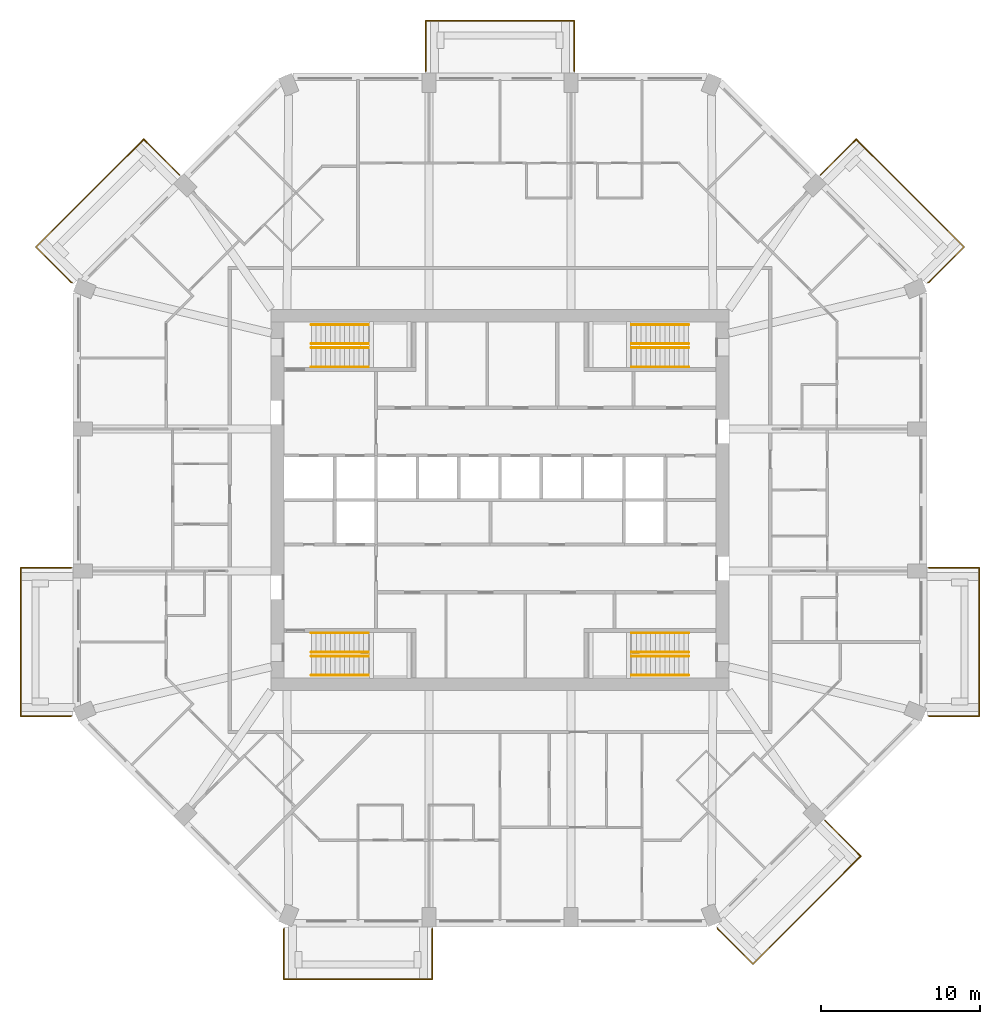
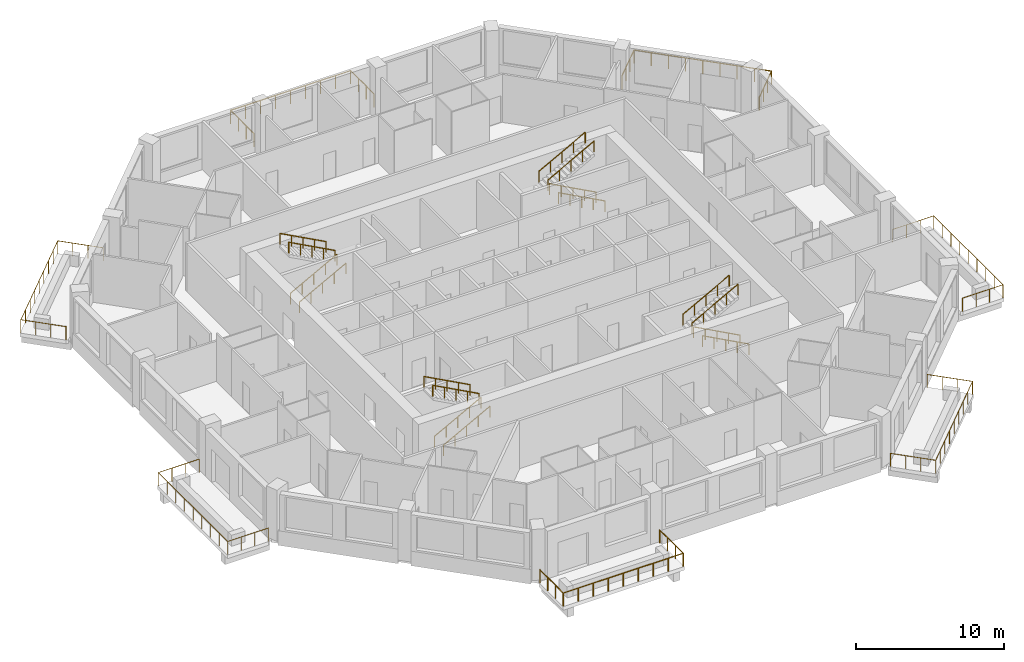
# One storey, part 12 of 12: 23 railings.
"""IFC4 building model written with IfcOpenShell, lengths in metres."""

from ifc_helpers import new_model, si_unit, direction, frame, origin, origin_2d, place, context, subcontext, project, spatial, circle, extrude, material, constituent, constituent_set, type_object, element, save


model = new_model("IFC4")

# Units and contexts
model_context = context("Model", 3, precision=1e-05, world=origin(), true_north=direction((0.0, 1.0)))
body_context = subcontext(model_context, "Body", "Model", "MODEL_VIEW")
ifc_project = project(units=[si_unit("LENGTHUNIT", "METRE"), si_unit("AREAUNIT", "SQUARE_METRE"), si_unit("VOLUMEUNIT", "CUBIC_METRE"), si_unit("PLANEANGLEUNIT", "RADIAN"), si_unit("MASSUNIT", "GRAM", prefix="KILO")], contexts=[model_context])

# Site, building, storey
site_placement = place(None, origin())
site = spatial("IfcSite", under=ifc_project, at=site_placement, CompositionType="ELEMENT")
building_placement = place(site_placement, origin())
building = spatial("IfcBuilding", under=site, at=building_placement, Name="Msitu Wima Residences", CompositionType="ELEMENT")
storey_placement = place(building_placement, frame((0.0, 0.0, 123.300048828125)))
storey = spatial("IfcBuildingStorey", under=building, at=storey_placement, Name="L28", CompositionType="ELEMENT", Elevation=123.300048828125)

# Railings
ifc_material_1 = material(Name="Steel S355", Category="steel")
ifc_constituent_1 = constituent(ifc_material_1, Name="Steel S355")
ifc_material_2 = material(Name="Weathering patina")
ifc_constituent_2 = constituent(ifc_material_2, Name="Weathering patina")
ifc_constituent_set_1 = constituent_set(constituents=[ifc_constituent_1, ifc_constituent_2], Name="Steel S355")
railing_type_1 = type_object("IfcRailingType", Name="Balcony guard GR1100", PredefinedType="GUARDRAIL", material=ifc_constituent_set_1)
railing_1_placement = place(storey_placement, frame((26.97998046875, -4.2685546875, 0.0)))
element("IfcRailing", 1, at=railing_1_placement, inside=storey, type_object=railing_type_1, Name="Balcony guard E0 L28", PredefinedType="GUARDRAIL", context=body_context, shape_type="SweptSolid", body=[
    extrude(circle(Radius=0.02392578125, at=origin_2d()), frame((0.0, 0.0, 1.076171875), z_axis=(1.0, 0.0, 0.0), x_axis=(0.0, 1.0, 0.0)), (0.0, 0.0, 1.0), 3.169921875),
    extrude(circle(Radius=0.02392578125, at=origin_2d()), frame((3.169921875, 0.0, 1.076171875), z_axis=(0.0, -1.0, 0.0), x_axis=(1.0, 0.0, 0.0)), (0.0, 0.0, 1.0), 9.33740234375),
    extrude(circle(Radius=0.02392578125, at=origin_2d()), frame((3.169921875, -9.33740234375, 1.076171875), z_axis=(-1.0, 0.0, 0.0), x_axis=(0.0, -1.0, 0.0)), (0.0, 0.0, 1.0), 3.136474609375),
    extrude(circle(Radius=0.02392578125, at=origin_2d()), frame((0.033447265625, -9.33740234375, 1.076171875), z_axis=(-0.923276184907, 0.384136806859, 0.0), x_axis=(-0.384136806859, -0.923276184907, 0.0)), (0.0, 0.0, 1.0), 0.0361328125),
    extrude(circle(Radius=0.02099609375, at=origin_2d()), origin(), (0.0, 0.0, 1.0), 1.052001953125),
    extrude(circle(Radius=0.02099609375, at=origin_2d()), frame((1.056640625, 0.0, 0.0)), (0.0, 0.0, 1.0), 1.052001953125),
    extrude(circle(Radius=0.02099609375, at=origin_2d()), frame((2.11328125, 0.0, 0.0)), (0.0, 0.0, 1.0), 1.052001953125),
    extrude(circle(Radius=0.02099609375, at=origin_2d()), frame((3.169921875, 0.0, 0.0)), (0.0, 0.0, 1.0), 1.052001953125),
    extrude(circle(Radius=0.02099609375, at=origin_2d()), frame((3.169921875, -1.167236328125, 0.0)), (0.0, 0.0, 1.0), 1.052001953125),
    extrude(circle(Radius=0.02099609375, at=origin_2d()), frame((3.169921875, -2.33447265625, 0.0)), (0.0, 0.0, 1.0), 1.052001953125),
    extrude(circle(Radius=0.02099609375, at=origin_2d()), frame((3.169921875, -3.50146484375, 0.0)), (0.0, 0.0, 1.0), 1.052001953125),
    extrude(circle(Radius=0.02099609375, at=origin_2d()), frame((3.169921875, -4.668701171875, 0.0)), (0.0, 0.0, 1.0), 1.052001953125),
    extrude(circle(Radius=0.02099609375, at=origin_2d()), frame((3.169921875, -5.8359375, 0.0)), (0.0, 0.0, 1.0), 1.052001953125),
    extrude(circle(Radius=0.02099609375, at=origin_2d()), frame((3.169921875, -7.0029296875, 0.0)), (0.0, 0.0, 1.0), 1.052001953125),
    extrude(circle(Radius=0.02099609375, at=origin_2d()), frame((3.169921875, -8.170166015625, 0.0)), (0.0, 0.0, 1.0), 1.052001953125),
    extrude(circle(Radius=0.02099609375, at=origin_2d()), frame((3.169921875, -9.33740234375, 0.0)), (0.0, 0.0, 1.0), 1.052001953125),
    extrude(circle(Radius=0.02099609375, at=origin_2d()), frame((2.12451171875, -9.33740234375, 0.0)), (0.0, 0.0, 1.0), 1.052001953125),
    extrude(circle(Radius=0.02099609375, at=origin_2d()), frame((1.078857421875, -9.33740234375, 0.0)), (0.0, 0.0, 1.0), 1.052001953125),
    extrude(circle(Radius=0.02099609375, at=origin_2d()), frame((0.033447265625, -9.33740234375, 0.0)), (0.0, 0.0, 1.0), 1.052001953125),
    extrude(circle(Radius=0.02099609375, at=origin_2d()), frame((0.0, -9.323486328125, 0.0)), (0.0, 0.0, 1.0), 1.052001953125),
])
railing_2_placement = place(storey_placement, frame((20.171630859375, 20.45458984375, 0.0)))
element("IfcRailing", 2, at=railing_2_placement, inside=storey, type_object=railing_type_1, Name="Balcony guard NE0 L28", PredefinedType="GUARDRAIL", context=body_context, shape_type="SweptSolid", body=[
    extrude(circle(Radius=0.02392578125, at=origin_2d()), frame((0.0, 0.0, 1.076171875), z_axis=(0.707106781187, 0.707106781187, 0.0), x_axis=(-0.707106781187, 0.707106781187, 0.0)), (0.0, 0.0, 1.0), 3.169921875),
    extrude(circle(Radius=0.02392578125, at=origin_2d()), frame((2.241455078125, 2.241455078125, 1.076171875), z_axis=(0.707106781187, -0.707106781187, 0.0), x_axis=(0.707106781187, 0.707106781187, 0.0)), (0.0, 0.0, 1.0), 9.58837890625),
    extrude(circle(Radius=0.02392578125, at=origin_2d()), frame((9.021484375, -4.53857421875, 1.076171875), z_axis=(-0.707106781187, -0.707106781187, 0.0), x_axis=(0.707106781187, -0.707106781187, 0.0)), (0.0, 0.0, 1.0), 3.136474609375),
    extrude(circle(Radius=0.02392578125, at=origin_2d()), frame((6.8037109375, -6.75634765625, 1.076171875), z_axis=(-0.92426142649, -0.38176015442, 0.0), x_axis=(0.38176015442, -0.92426142649, 0.0)), (0.0, 0.0, 1.0), 0.036376953125),
    extrude(circle(Radius=0.02099609375, at=origin_2d()), origin(), (0.0, 0.0, 1.0), 1.052001953125),
    extrude(circle(Radius=0.02099609375, at=origin_2d()), frame((0.7470703125, 0.7470703125, 0.0)), (0.0, 0.0, 1.0), 1.052001953125),
    extrude(circle(Radius=0.02099609375, at=origin_2d()), frame((1.494384765625, 1.494384765625, 0.0)), (0.0, 0.0, 1.0), 1.052001953125),
    extrude(circle(Radius=0.02099609375, at=origin_2d()), frame((2.241455078125, 2.241455078125, 0.0)), (0.0, 0.0, 1.0), 1.052001953125),
    extrude(circle(Radius=0.02099609375, at=origin_2d()), frame((3.0888671875, 1.39404296875, 0.0)), (0.0, 0.0, 1.0), 1.052001953125),
    extrude(circle(Radius=0.02099609375, at=origin_2d()), frame((3.9365234375, 0.54638671875, 0.0)), (0.0, 0.0, 1.0), 1.052001953125),
    extrude(circle(Radius=0.02099609375, at=origin_2d()), frame((4.783935546875, -0.301025390625, 0.0)), (0.0, 0.0, 1.0), 1.052001953125),
    extrude(circle(Radius=0.02099609375, at=origin_2d()), frame((5.63134765625, -1.1484375, 0.0)), (0.0, 0.0, 1.0), 1.052001953125),
    extrude(circle(Radius=0.02099609375, at=origin_2d()), frame((6.47900390625, -1.99609375, 0.0)), (0.0, 0.0, 1.0), 1.052001953125),
    extrude(circle(Radius=0.02099609375, at=origin_2d()), frame((7.326416015625, -2.843505859375, 0.0)), (0.0, 0.0, 1.0), 1.052001953125),
    extrude(circle(Radius=0.02099609375, at=origin_2d()), frame((8.174072265625, -3.691162109375, 0.0)), (0.0, 0.0, 1.0), 1.052001953125),
    extrude(circle(Radius=0.02099609375, at=origin_2d()), frame((9.021484375, -4.53857421875, 0.0)), (0.0, 0.0, 1.0), 1.052001953125),
    extrude(circle(Radius=0.02099609375, at=origin_2d()), frame((8.2822265625, -5.27783203125, 0.0)), (0.0, 0.0, 1.0), 1.052001953125),
    extrude(circle(Radius=0.02099609375, at=origin_2d()), frame((7.54296875, -6.01708984375, 0.0)), (0.0, 0.0, 1.0), 1.052001953125),
    extrude(circle(Radius=0.02099609375, at=origin_2d()), frame((6.8037109375, -6.75634765625, 0.0)), (0.0, 0.0, 1.0), 1.052001953125),
    extrude(circle(Radius=0.02099609375, at=origin_2d()), frame((6.77001953125, -6.770263671875, 0.0)), (0.0, 0.0, 1.0), 1.052001953125),
])
railing_3_placement = place(storey_placement, frame((-4.668701171875, 26.97998046875, 0.0)))
element("IfcRailing", 3, at=railing_3_placement, inside=storey, type_object=railing_type_1, Name="Balcony guard N1 L28", PredefinedType="GUARDRAIL", context=body_context, shape_type="SweptSolid", body=[
    extrude(circle(Radius=0.02392578125, at=origin_2d()), frame((0.0, 0.0, 1.076171875), z_axis=(0.0, 1.0, 0.0), x_axis=(-1.0, 0.0, 0.0)), (0.0, 0.0, 1.0), 3.169921875),
    extrude(circle(Radius=0.02392578125, at=origin_2d()), frame((0.0, 3.169921875, 1.076171875), z_axis=(1.0, 0.0, 0.0), x_axis=(0.0, 1.0, 0.0)), (0.0, 0.0, 1.0), 9.33740234375),
    extrude(circle(Radius=0.02392578125, at=origin_2d()), frame((9.33740234375, 3.169921875, 1.076171875), z_axis=(0.0, -1.0, 0.0), x_axis=(1.0, 0.0, 0.0)), (0.0, 0.0, 1.0), 3.169921875),
    extrude(circle(Radius=0.02099609375, at=origin_2d()), origin(), (0.0, 0.0, 1.0), 1.052001953125),
    extrude(circle(Radius=0.02099609375, at=origin_2d()), frame((0.0, 1.056640625, 0.0)), (0.0, 0.0, 1.0), 1.052001953125),
    extrude(circle(Radius=0.02099609375, at=origin_2d()), frame((0.0, 2.11328125, 0.0)), (0.0, 0.0, 1.0), 1.052001953125),
    extrude(circle(Radius=0.02099609375, at=origin_2d()), frame((0.0, 3.169921875, 0.0)), (0.0, 0.0, 1.0), 1.052001953125),
    extrude(circle(Radius=0.02099609375, at=origin_2d()), frame((1.167236328125, 3.169921875, 0.0)), (0.0, 0.0, 1.0), 1.052001953125),
    extrude(circle(Radius=0.02099609375, at=origin_2d()), frame((2.33447265625, 3.169921875, 0.0)), (0.0, 0.0, 1.0), 1.052001953125),
    extrude(circle(Radius=0.02099609375, at=origin_2d()), frame((3.50146484375, 3.169921875, 0.0)), (0.0, 0.0, 1.0), 1.052001953125),
    extrude(circle(Radius=0.02099609375, at=origin_2d()), frame((4.668701171875, 3.169921875, 0.0)), (0.0, 0.0, 1.0), 1.052001953125),
    extrude(circle(Radius=0.02099609375, at=origin_2d()), frame((5.8359375, 3.169921875, 0.0)), (0.0, 0.0, 1.0), 1.052001953125),
    extrude(circle(Radius=0.02099609375, at=origin_2d()), frame((7.0029296875, 3.169921875, 0.0)), (0.0, 0.0, 1.0), 1.052001953125),
    extrude(circle(Radius=0.02099609375, at=origin_2d()), frame((8.170166015625, 3.169921875, 0.0)), (0.0, 0.0, 1.0), 1.052001953125),
    extrude(circle(Radius=0.02099609375, at=origin_2d()), frame((9.33740234375, 3.169921875, 0.0)), (0.0, 0.0, 1.0), 1.052001953125),
    extrude(circle(Radius=0.02099609375, at=origin_2d()), frame((9.33740234375, 2.11328125, 0.0)), (0.0, 0.0, 1.0), 1.052001953125),
    extrude(circle(Radius=0.02099609375, at=origin_2d()), frame((9.33740234375, 1.056640625, 0.0)), (0.0, 0.0, 1.0), 1.052001953125),
    extrude(circle(Radius=0.02099609375, at=origin_2d()), frame((9.33740234375, 0.0, 0.0)), (0.0, 0.0, 1.0), 1.052001953125),
])
railing_4_placement = place(storey_placement, frame((-26.941650390625, 13.684326171875, 0.0)))
element("IfcRailing", 4, at=railing_4_placement, inside=storey, type_object=railing_type_1, Name="Balcony guard NW1 L28", PredefinedType="GUARDRAIL", context=body_context, shape_type="SweptSolid", body=[
    extrude(circle(Radius=0.02392578125, at=origin_2d()), frame((0.0, 0.0, 1.076171875), z_axis=(-0.92426142649, 0.38176015442, 0.0), x_axis=(-0.38176015442, -0.92426142649, 0.0)), (0.0, 0.0, 1.0), 0.036376953125),
    extrude(circle(Radius=0.02392578125, at=origin_2d()), frame((-0.03369140625, 0.013916015625, 1.076171875), z_axis=(-0.707106781187, 0.707106781187, 0.0), x_axis=(-0.707106781187, -0.707106781187, 0.0)), (0.0, 0.0, 1.0), 3.136474609375),
    extrude(circle(Radius=0.02392578125, at=origin_2d()), frame((-2.25146484375, 2.231689453125, 1.076171875), z_axis=(0.707106781187, 0.707106781187, 0.0), x_axis=(-0.707106781187, 0.707106781187, 0.0)), (0.0, 0.0, 1.0), 9.58837890625),
    extrude(circle(Radius=0.02392578125, at=origin_2d()), frame((4.528564453125, 9.01171875, 1.076171875), z_axis=(0.707106781187, -0.707106781187, 0.0), x_axis=(0.707106781187, 0.707106781187, 0.0)), (0.0, 0.0, 1.0), 3.169921875),
    extrude(circle(Radius=0.02099609375, at=origin_2d()), origin(), (0.0, 0.0, 1.0), 1.052001953125),
    extrude(circle(Radius=0.02099609375, at=origin_2d()), frame((-0.03369140625, 0.013916015625, 0.0)), (0.0, 0.0, 1.0), 1.052001953125),
    extrude(circle(Radius=0.02099609375, at=origin_2d()), frame((-0.77294921875, 0.753173828125, 0.0)), (0.0, 0.0, 1.0), 1.052001953125),
    extrude(circle(Radius=0.02099609375, at=origin_2d()), frame((-1.51220703125, 1.492431640625, 0.0)), (0.0, 0.0, 1.0), 1.052001953125),
    extrude(circle(Radius=0.02099609375, at=origin_2d()), frame((-2.25146484375, 2.231689453125, 0.0)), (0.0, 0.0, 1.0), 1.052001953125),
    extrude(circle(Radius=0.02099609375, at=origin_2d()), frame((-1.404052734375, 3.0791015625, 0.0)), (0.0, 0.0, 1.0), 1.052001953125),
    extrude(circle(Radius=0.02099609375, at=origin_2d()), frame((-0.556396484375, 3.9267578125, 0.0)), (0.0, 0.0, 1.0), 1.052001953125),
    extrude(circle(Radius=0.02099609375, at=origin_2d()), frame((0.291015625, 4.774169921875, 0.0)), (0.0, 0.0, 1.0), 1.052001953125),
    extrude(circle(Radius=0.02099609375, at=origin_2d()), frame((1.138671875, 5.62158203125, 0.0)), (0.0, 0.0, 1.0), 1.052001953125),
    extrude(circle(Radius=0.02099609375, at=origin_2d()), frame((1.986083984375, 6.46923828125, 0.0)), (0.0, 0.0, 1.0), 1.052001953125),
    extrude(circle(Radius=0.02099609375, at=origin_2d()), frame((2.83349609375, 7.316650390625, 0.0)), (0.0, 0.0, 1.0), 1.052001953125),
    extrude(circle(Radius=0.02099609375, at=origin_2d()), frame((3.68115234375, 8.164306640625, 0.0)), (0.0, 0.0, 1.0), 1.052001953125),
    extrude(circle(Radius=0.02099609375, at=origin_2d()), frame((4.528564453125, 9.01171875, 0.0)), (0.0, 0.0, 1.0), 1.052001953125),
    extrude(circle(Radius=0.02099609375, at=origin_2d()), frame((5.275634765625, 8.2646484375, 0.0)), (0.0, 0.0, 1.0), 1.052001953125),
    extrude(circle(Radius=0.02099609375, at=origin_2d()), frame((6.02294921875, 7.517333984375, 0.0)), (0.0, 0.0, 1.0), 1.052001953125),
    extrude(circle(Radius=0.02099609375, at=origin_2d()), frame((6.77001953125, 6.770263671875, 0.0)), (0.0, 0.0, 1.0), 1.052001953125),
])
railing_5_placement = place(storey_placement, frame((-26.97998046875, -13.592041015625, 0.0)))
element("IfcRailing", 5, at=railing_5_placement, inside=storey, type_object=railing_type_1, Name="Balcony guard W2 L28", PredefinedType="GUARDRAIL", context=body_context, shape_type="SweptSolid", body=[
    extrude(circle(Radius=0.02392578125, at=origin_2d()), frame((0.0, 0.0, 1.076171875), z_axis=(-0.923276184907, -0.384136806859, 0.0), x_axis=(0.384136806859, -0.923276184907, 0.0)), (0.0, 0.0, 1.0), 0.0361328125),
    extrude(circle(Radius=0.02392578125, at=origin_2d()), frame((-0.033447265625, -0.013916015625, 1.076171875), z_axis=(-1.0, 0.0, 0.0), x_axis=(0.0, -1.0, 0.0)), (0.0, 0.0, 1.0), 3.136474609375),
    extrude(circle(Radius=0.02392578125, at=origin_2d()), frame((-3.169921875, -0.013916015625, 1.076171875), z_axis=(0.0, 1.0, 0.0), x_axis=(-1.0, 0.0, 0.0)), (0.0, 0.0, 1.0), 9.33740234375),
    extrude(circle(Radius=0.02392578125, at=origin_2d()), frame((-3.169921875, 9.323486328125, 1.076171875), z_axis=(1.0, 0.0, 0.0), x_axis=(0.0, 1.0, 0.0)), (0.0, 0.0, 1.0), 3.169921875),
    extrude(circle(Radius=0.02099609375, at=origin_2d()), origin(), (0.0, 0.0, 1.0), 1.052001953125),
    extrude(circle(Radius=0.02099609375, at=origin_2d()), frame((-0.033447265625, -0.013916015625, 0.0)), (0.0, 0.0, 1.0), 1.052001953125),
    extrude(circle(Radius=0.02099609375, at=origin_2d()), frame((-1.078857421875, -0.013916015625, 0.0)), (0.0, 0.0, 1.0), 1.052001953125),
    extrude(circle(Radius=0.02099609375, at=origin_2d()), frame((-2.12451171875, -0.013916015625, 0.0)), (0.0, 0.0, 1.0), 1.052001953125),
    extrude(circle(Radius=0.02099609375, at=origin_2d()), frame((-3.169921875, -0.013916015625, 0.0)), (0.0, 0.0, 1.0), 1.052001953125),
    extrude(circle(Radius=0.02099609375, at=origin_2d()), frame((-3.169921875, 1.1533203125, 0.0)), (0.0, 0.0, 1.0), 1.052001953125),
    extrude(circle(Radius=0.02099609375, at=origin_2d()), frame((-3.169921875, 2.3203125, 0.0)), (0.0, 0.0, 1.0), 1.052001953125),
    extrude(circle(Radius=0.02099609375, at=origin_2d()), frame((-3.169921875, 3.487548828125, 0.0)), (0.0, 0.0, 1.0), 1.052001953125),
    extrude(circle(Radius=0.02099609375, at=origin_2d()), frame((-3.169921875, 4.65478515625, 0.0)), (0.0, 0.0, 1.0), 1.052001953125),
    extrude(circle(Radius=0.02099609375, at=origin_2d()), frame((-3.169921875, 5.822021484375, 0.0)), (0.0, 0.0, 1.0), 1.052001953125),
    extrude(circle(Radius=0.02099609375, at=origin_2d()), frame((-3.169921875, 6.9892578125, 0.0)), (0.0, 0.0, 1.0), 1.052001953125),
    extrude(circle(Radius=0.02099609375, at=origin_2d()), frame((-3.169921875, 8.15625, 0.0)), (0.0, 0.0, 1.0), 1.052001953125),
    extrude(circle(Radius=0.02099609375, at=origin_2d()), frame((-3.169921875, 9.323486328125, 0.0)), (0.0, 0.0, 1.0), 1.052001953125),
    extrude(circle(Radius=0.02099609375, at=origin_2d()), frame((-2.11328125, 9.323486328125, 0.0)), (0.0, 0.0, 1.0), 1.052001953125),
    extrude(circle(Radius=0.02099609375, at=origin_2d()), frame((-1.056640625, 9.323486328125, 0.0)), (0.0, 0.0, 1.0), 1.052001953125),
    extrude(circle(Radius=0.02099609375, at=origin_2d()), frame((0.0, 9.323486328125, 0.0)), (0.0, 0.0, 1.0), 1.052001953125),
])
railing_6_placement = place(storey_placement, frame((-4.2685546875, -26.97998046875, 0.0)))
element("IfcRailing", 6, at=railing_6_placement, inside=storey, type_object=railing_type_1, Name="Balcony guard S0 L28", PredefinedType="GUARDRAIL", context=body_context, shape_type="SweptSolid", body=[
    extrude(circle(Radius=0.02392578125, at=origin_2d()), frame((0.0, 0.0, 1.076171875), z_axis=(0.0, -1.0, 0.0), x_axis=(1.0, 0.0, 0.0)), (0.0, 0.0, 1.0), 3.169921875),
    extrude(circle(Radius=0.02392578125, at=origin_2d()), frame((0.0, -3.169921875, 1.076171875), z_axis=(-1.0, 0.0, 0.0), x_axis=(0.0, -1.0, 0.0)), (0.0, 0.0, 1.0), 9.33740234375),
    extrude(circle(Radius=0.02392578125, at=origin_2d()), frame((-9.33740234375, -3.169921875, 1.076171875), z_axis=(0.0, 1.0, 0.0), x_axis=(-1.0, 0.0, 0.0)), (0.0, 0.0, 1.0), 3.136474609375),
    extrude(circle(Radius=0.02392578125, at=origin_2d()), frame((-9.33740234375, -0.033447265625, 1.076171875), z_axis=(0.384136806859, 0.923276184907, 0.0), x_axis=(-0.923276184907, 0.384136806859, 0.0)), (0.0, 0.0, 1.0), 0.0361328125),
    extrude(circle(Radius=0.02099609375, at=origin_2d()), origin(), (0.0, 0.0, 1.0), 1.052001953125),
    extrude(circle(Radius=0.02099609375, at=origin_2d()), frame((0.0, -1.056640625, 0.0)), (0.0, 0.0, 1.0), 1.052001953125),
    extrude(circle(Radius=0.02099609375, at=origin_2d()), frame((0.0, -2.11328125, 0.0)), (0.0, 0.0, 1.0), 1.052001953125),
    extrude(circle(Radius=0.02099609375, at=origin_2d()), frame((0.0, -3.169921875, 0.0)), (0.0, 0.0, 1.0), 1.052001953125),
    extrude(circle(Radius=0.02099609375, at=origin_2d()), frame((-1.167236328125, -3.169921875, 0.0)), (0.0, 0.0, 1.0), 1.052001953125),
    extrude(circle(Radius=0.02099609375, at=origin_2d()), frame((-2.33447265625, -3.169921875, 0.0)), (0.0, 0.0, 1.0), 1.052001953125),
    extrude(circle(Radius=0.02099609375, at=origin_2d()), frame((-3.50146484375, -3.169921875, 0.0)), (0.0, 0.0, 1.0), 1.052001953125),
    extrude(circle(Radius=0.02099609375, at=origin_2d()), frame((-4.668701171875, -3.169921875, 0.0)), (0.0, 0.0, 1.0), 1.052001953125),
    extrude(circle(Radius=0.02099609375, at=origin_2d()), frame((-5.8359375, -3.169921875, 0.0)), (0.0, 0.0, 1.0), 1.052001953125),
    extrude(circle(Radius=0.02099609375, at=origin_2d()), frame((-7.0029296875, -3.169921875, 0.0)), (0.0, 0.0, 1.0), 1.052001953125),
    extrude(circle(Radius=0.02099609375, at=origin_2d()), frame((-8.170166015625, -3.169921875, 0.0)), (0.0, 0.0, 1.0), 1.052001953125),
    extrude(circle(Radius=0.02099609375, at=origin_2d()), frame((-9.33740234375, -3.169921875, 0.0)), (0.0, 0.0, 1.0), 1.052001953125),
    extrude(circle(Radius=0.02099609375, at=origin_2d()), frame((-9.33740234375, -2.12451171875, 0.0)), (0.0, 0.0, 1.0), 1.052001953125),
    extrude(circle(Radius=0.02099609375, at=origin_2d()), frame((-9.33740234375, -1.078857421875, 0.0)), (0.0, 0.0, 1.0), 1.052001953125),
    extrude(circle(Radius=0.02099609375, at=origin_2d()), frame((-9.33740234375, -0.033447265625, 0.0)), (0.0, 0.0, 1.0), 1.052001953125),
    extrude(circle(Radius=0.02099609375, at=origin_2d()), frame((-9.323486328125, 0.0, 0.0)), (0.0, 0.0, 1.0), 1.052001953125),
])
railing_7_placement = place(storey_placement, frame((20.45458984375, -20.171630859375, 0.0)))
element("IfcRailing", 7, at=railing_7_placement, inside=storey, type_object=railing_type_1, Name="Balcony guard SE0 L28", PredefinedType="GUARDRAIL", context=body_context, shape_type="SweptSolid", body=[
    extrude(circle(Radius=0.02392578125, at=origin_2d()), frame((0.0, 0.0, 1.076171875), z_axis=(0.707106781187, -0.707106781187, 0.0), x_axis=(0.707106781187, 0.707106781187, 0.0)), (0.0, 0.0, 1.0), 3.169921875),
    extrude(circle(Radius=0.02392578125, at=origin_2d()), frame((2.241455078125, -2.241455078125, 1.076171875), z_axis=(-0.707106781187, -0.707106781187, 0.0), x_axis=(0.707106781187, -0.707106781187, 0.0)), (0.0, 0.0, 1.0), 9.58837890625),
    extrude(circle(Radius=0.02392578125, at=origin_2d()), frame((-4.53857421875, -9.021484375, 1.076171875), z_axis=(-0.707106781187, 0.707106781187, 0.0), x_axis=(-0.707106781187, -0.707106781187, 0.0)), (0.0, 0.0, 1.0), 3.136474609375),
    extrude(circle(Radius=0.02392578125, at=origin_2d()), frame((-6.75634765625, -6.8037109375, 1.076171875), z_axis=(-0.38176015442, 0.92426142649, 0.0), x_axis=(-0.92426142649, -0.38176015442, 0.0)), (0.0, 0.0, 1.0), 0.036376953125),
    extrude(circle(Radius=0.02099609375, at=origin_2d()), origin(), (0.0, 0.0, 1.0), 1.052001953125),
    extrude(circle(Radius=0.02099609375, at=origin_2d()), frame((0.7470703125, -0.7470703125, 0.0)), (0.0, 0.0, 1.0), 1.052001953125),
    extrude(circle(Radius=0.02099609375, at=origin_2d()), frame((1.494384765625, -1.494384765625, 0.0)), (0.0, 0.0, 1.0), 1.052001953125),
    extrude(circle(Radius=0.02099609375, at=origin_2d()), frame((2.241455078125, -2.241455078125, 0.0)), (0.0, 0.0, 1.0), 1.052001953125),
    extrude(circle(Radius=0.02099609375, at=origin_2d()), frame((1.39404296875, -3.0888671875, 0.0)), (0.0, 0.0, 1.0), 1.052001953125),
    extrude(circle(Radius=0.02099609375, at=origin_2d()), frame((0.54638671875, -3.9365234375, 0.0)), (0.0, 0.0, 1.0), 1.052001953125),
    extrude(circle(Radius=0.02099609375, at=origin_2d()), frame((-0.301025390625, -4.783935546875, 0.0)), (0.0, 0.0, 1.0), 1.052001953125),
    extrude(circle(Radius=0.02099609375, at=origin_2d()), frame((-1.1484375, -5.63134765625, 0.0)), (0.0, 0.0, 1.0), 1.052001953125),
    extrude(circle(Radius=0.02099609375, at=origin_2d()), frame((-1.99609375, -6.47900390625, 0.0)), (0.0, 0.0, 1.0), 1.052001953125),
    extrude(circle(Radius=0.02099609375, at=origin_2d()), frame((-2.843505859375, -7.326416015625, 0.0)), (0.0, 0.0, 1.0), 1.052001953125),
    extrude(circle(Radius=0.02099609375, at=origin_2d()), frame((-3.691162109375, -8.174072265625, 0.0)), (0.0, 0.0, 1.0), 1.052001953125),
    extrude(circle(Radius=0.02099609375, at=origin_2d()), frame((-4.53857421875, -9.021484375, 0.0)), (0.0, 0.0, 1.0), 1.052001953125),
    extrude(circle(Radius=0.02099609375, at=origin_2d()), frame((-5.27783203125, -8.2822265625, 0.0)), (0.0, 0.0, 1.0), 1.052001953125),
    extrude(circle(Radius=0.02099609375, at=origin_2d()), frame((-6.01708984375, -7.54296875, 0.0)), (0.0, 0.0, 1.0), 1.052001953125),
    extrude(circle(Radius=0.02099609375, at=origin_2d()), frame((-6.75634765625, -6.8037109375, 0.0)), (0.0, 0.0, 1.0), 1.052001953125),
    extrude(circle(Radius=0.02099609375, at=origin_2d()), frame((-6.770263671875, -6.77001953125, 0.0)), (0.0, 0.0, 1.0), 1.052001953125),
])
ifc_constituent_3 = constituent(ifc_material_1, Name="Steel S355")
ifc_material_3 = material(Name="Black powder coating")
ifc_constituent_4 = constituent(ifc_material_3, Name="Black powder coating")
ifc_constituent_set_2 = constituent_set(constituents=[ifc_constituent_3, ifc_constituent_4], Name="Steel S355")
railing_type_2 = type_object("IfcRailingType", Name="Stair handrail HR1", PredefinedType="HANDRAIL", material=ifc_constituent_set_2)
for number, where, name in (
    (8, (-11.875, 8.375, 0.161376953125), "Stair 1 handrail"),
    (9, (-11.875, 9.574951171875, 0.161376953125), "Stair 1 handrail"),
):
    element("IfcRailing", number, at=place(storey_placement, frame(where)), inside=storey, type_object=railing_type_2, Name=name, PredefinedType="HANDRAIL", context=body_context, shape_type="SweptSolid", body=[
        extrude(circle(Radius=0.02392578125, at=origin_2d()), frame((0.0, 0.0, 0.8759765625), z_axis=(0.880474934443, 0.0, 0.474092701714), x_axis=(0.0, 1.0, 0.0)), (0.0, 0.0, 1.0), 4.0888671875),
        extrude(circle(Radius=0.02099609375, at=origin_2d()), origin(), (0.0, 0.0, 1.0), 0.851806640625),
        extrude(circle(Radius=0.02099609375, at=origin_2d()), frame((0.89990234375, 0.0, 0.484619140625)), (0.0, 0.0, 1.0), 0.851806640625),
        extrude(circle(Radius=0.02099609375, at=origin_2d()), frame((1.800048828125, 0.0, 0.96923828125)), (0.0, 0.0, 1.0), 0.851806640625),
        extrude(circle(Radius=0.02099609375, at=origin_2d()), frame((2.7001953125, 0.0, 1.453857421875)), (0.0, 0.0, 1.0), 0.851806640625),
        extrude(circle(Radius=0.02099609375, at=origin_2d()), frame((3.60009765625, 0.0, 1.9384765625)), (0.0, 0.0, 1.0), 0.851806640625),
    ])
for number, where, name in (
    (10, (-8.27490234375, 9.824951171875, 2.261474609375), "Stair 1 handrail"),
    (11, (-8.27490234375, 11.02490234375, 2.261474609375), "Stair 1 handrail"),
):
    element("IfcRailing", number, at=place(storey_placement, frame(where)), inside=storey, type_object=railing_type_2, Name=name, PredefinedType="HANDRAIL", context=body_context, shape_type="SweptSolid", body=[
        extrude(circle(Radius=0.02392578125, at=origin_2d()), frame((0.0, 0.0, 0.8759765625), z_axis=(-0.880474934443, 0.0, 0.474092701714), x_axis=(0.0, -1.0, 0.0)), (0.0, 0.0, 1.0), 4.0888671875),
        extrude(circle(Radius=0.02099609375, at=origin_2d()), origin(), (0.0, 0.0, 1.0), 0.851806640625),
        extrude(circle(Radius=0.02099609375, at=origin_2d()), frame((-0.89990234375, 0.0, 0.484619140625)), (0.0, 0.0, 1.0), 0.851806640625),
        extrude(circle(Radius=0.02099609375, at=origin_2d()), frame((-1.800048828125, 0.0, 0.96923828125)), (0.0, 0.0, 1.0), 0.851806640625),
        extrude(circle(Radius=0.02099609375, at=origin_2d()), frame((-2.7001953125, 0.0, 1.453857421875)), (0.0, 0.0, 1.0), 0.851806640625),
        extrude(circle(Radius=0.02099609375, at=origin_2d()), frame((-3.60009765625, 0.0, 1.9384765625)), (0.0, 0.0, 1.0), 0.851806640625),
    ])
for number, where, name in (
    (12, (-11.875, -11.02490234375, 0.161376953125), "Stair 2 handrail"),
    (13, (-11.875, -9.824951171875, 0.161376953125), "Stair 2 handrail"),
):
    element("IfcRailing", number, at=place(storey_placement, frame(where)), inside=storey, type_object=railing_type_2, Name=name, PredefinedType="HANDRAIL", context=body_context, shape_type="SweptSolid", body=[
        extrude(circle(Radius=0.02392578125, at=origin_2d()), frame((0.0, 0.0, 0.8759765625), z_axis=(0.880474934443, 0.0, 0.474092701714), x_axis=(0.0, 1.0, 0.0)), (0.0, 0.0, 1.0), 4.0888671875),
        extrude(circle(Radius=0.02099609375, at=origin_2d()), origin(), (0.0, 0.0, 1.0), 0.851806640625),
        extrude(circle(Radius=0.02099609375, at=origin_2d()), frame((0.89990234375, 0.0, 0.484619140625)), (0.0, 0.0, 1.0), 0.851806640625),
        extrude(circle(Radius=0.02099609375, at=origin_2d()), frame((1.800048828125, 0.0, 0.96923828125)), (0.0, 0.0, 1.0), 0.851806640625),
        extrude(circle(Radius=0.02099609375, at=origin_2d()), frame((2.7001953125, 0.0, 1.453857421875)), (0.0, 0.0, 1.0), 0.851806640625),
        extrude(circle(Radius=0.02099609375, at=origin_2d()), frame((3.60009765625, 0.0, 1.9384765625)), (0.0, 0.0, 1.0), 0.851806640625),
    ])
for number, where, name in (
    (14, (-8.27490234375, -9.574951171875, 2.261474609375), "Stair 2 handrail"),
    (15, (-8.27490234375, -8.375, 2.261474609375), "Stair 2 handrail"),
    (16, (11.875, 8.375, 0.161376953125), "Stair 3 handrail"),
    (17, (11.875, 9.574951171875, 0.161376953125), "Stair 3 handrail"),
):
    element("IfcRailing", number, at=place(storey_placement, frame(where)), inside=storey, type_object=railing_type_2, Name=name, PredefinedType="HANDRAIL", context=body_context, shape_type="SweptSolid", body=[
        extrude(circle(Radius=0.02392578125, at=origin_2d()), frame((0.0, 0.0, 0.8759765625), z_axis=(-0.880474934443, 0.0, 0.474092701714), x_axis=(0.0, -1.0, 0.0)), (0.0, 0.0, 1.0), 4.0888671875),
        extrude(circle(Radius=0.02099609375, at=origin_2d()), origin(), (0.0, 0.0, 1.0), 0.851806640625),
        extrude(circle(Radius=0.02099609375, at=origin_2d()), frame((-0.89990234375, 0.0, 0.484619140625)), (0.0, 0.0, 1.0), 0.851806640625),
        extrude(circle(Radius=0.02099609375, at=origin_2d()), frame((-1.800048828125, 0.0, 0.96923828125)), (0.0, 0.0, 1.0), 0.851806640625),
        extrude(circle(Radius=0.02099609375, at=origin_2d()), frame((-2.7001953125, 0.0, 1.453857421875)), (0.0, 0.0, 1.0), 0.851806640625),
        extrude(circle(Radius=0.02099609375, at=origin_2d()), frame((-3.60009765625, 0.0, 1.9384765625)), (0.0, 0.0, 1.0), 0.851806640625),
    ])
for number, where, name in (
    (18, (8.27490234375, 9.824951171875, 2.261474609375), "Stair 3 handrail"),
    (19, (8.27490234375, 11.02490234375, 2.261474609375), "Stair 3 handrail"),
):
    element("IfcRailing", number, at=place(storey_placement, frame(where)), inside=storey, type_object=railing_type_2, Name=name, PredefinedType="HANDRAIL", context=body_context, shape_type="SweptSolid", body=[
        extrude(circle(Radius=0.02392578125, at=origin_2d()), frame((0.0, 0.0, 0.8759765625), z_axis=(0.880474934443, 0.0, 0.474092701714), x_axis=(0.0, 1.0, 0.0)), (0.0, 0.0, 1.0), 4.0888671875),
        extrude(circle(Radius=0.02099609375, at=origin_2d()), origin(), (0.0, 0.0, 1.0), 0.851806640625),
        extrude(circle(Radius=0.02099609375, at=origin_2d()), frame((0.89990234375, 0.0, 0.484619140625)), (0.0, 0.0, 1.0), 0.851806640625),
        extrude(circle(Radius=0.02099609375, at=origin_2d()), frame((1.800048828125, 0.0, 0.96923828125)), (0.0, 0.0, 1.0), 0.851806640625),
        extrude(circle(Radius=0.02099609375, at=origin_2d()), frame((2.7001953125, 0.0, 1.453857421875)), (0.0, 0.0, 1.0), 0.851806640625),
        extrude(circle(Radius=0.02099609375, at=origin_2d()), frame((3.60009765625, 0.0, 1.9384765625)), (0.0, 0.0, 1.0), 0.851806640625),
    ])
for number, where, name in (
    (20, (11.875, -11.02490234375, 0.161376953125), "Stair 4 handrail"),
    (21, (11.875, -9.824951171875, 0.161376953125), "Stair 4 handrail"),
):
    element("IfcRailing", number, at=place(storey_placement, frame(where)), inside=storey, type_object=railing_type_2, Name=name, PredefinedType="HANDRAIL", context=body_context, shape_type="SweptSolid", body=[
        extrude(circle(Radius=0.02392578125, at=origin_2d()), frame((0.0, 0.0, 0.8759765625), z_axis=(-0.880474934443, 0.0, 0.474092701714), x_axis=(0.0, -1.0, 0.0)), (0.0, 0.0, 1.0), 4.0888671875),
        extrude(circle(Radius=0.02099609375, at=origin_2d()), origin(), (0.0, 0.0, 1.0), 0.851806640625),
        extrude(circle(Radius=0.02099609375, at=origin_2d()), frame((-0.89990234375, 0.0, 0.484619140625)), (0.0, 0.0, 1.0), 0.851806640625),
        extrude(circle(Radius=0.02099609375, at=origin_2d()), frame((-1.800048828125, 0.0, 0.96923828125)), (0.0, 0.0, 1.0), 0.851806640625),
        extrude(circle(Radius=0.02099609375, at=origin_2d()), frame((-2.7001953125, 0.0, 1.453857421875)), (0.0, 0.0, 1.0), 0.851806640625),
        extrude(circle(Radius=0.02099609375, at=origin_2d()), frame((-3.60009765625, 0.0, 1.9384765625)), (0.0, 0.0, 1.0), 0.851806640625),
    ])
for number, where, name in (
    (22, (8.27490234375, -9.574951171875, 2.261474609375), "Stair 4 handrail"),
    (23, (8.27490234375, -8.375, 2.261474609375), "Stair 4 handrail"),
):
    element("IfcRailing", number, at=place(storey_placement, frame(where)), inside=storey, type_object=railing_type_2, Name=name, PredefinedType="HANDRAIL", context=body_context, shape_type="SweptSolid", body=[
        extrude(circle(Radius=0.02392578125, at=origin_2d()), frame((0.0, 0.0, 0.8759765625), z_axis=(0.880474934443, 0.0, 0.474092701714), x_axis=(0.0, 1.0, 0.0)), (0.0, 0.0, 1.0), 4.0888671875),
        extrude(circle(Radius=0.02099609375, at=origin_2d()), origin(), (0.0, 0.0, 1.0), 0.851806640625),
        extrude(circle(Radius=0.02099609375, at=origin_2d()), frame((0.89990234375, 0.0, 0.484619140625)), (0.0, 0.0, 1.0), 0.851806640625),
        extrude(circle(Radius=0.02099609375, at=origin_2d()), frame((1.800048828125, 0.0, 0.96923828125)), (0.0, 0.0, 1.0), 0.851806640625),
        extrude(circle(Radius=0.02099609375, at=origin_2d()), frame((2.7001953125, 0.0, 1.453857421875)), (0.0, 0.0, 1.0), 0.851806640625),
        extrude(circle(Radius=0.02099609375, at=origin_2d()), frame((3.60009765625, 0.0, 1.9384765625)), (0.0, 0.0, 1.0), 0.851806640625),
    ])

save(model, "model.ifc")
